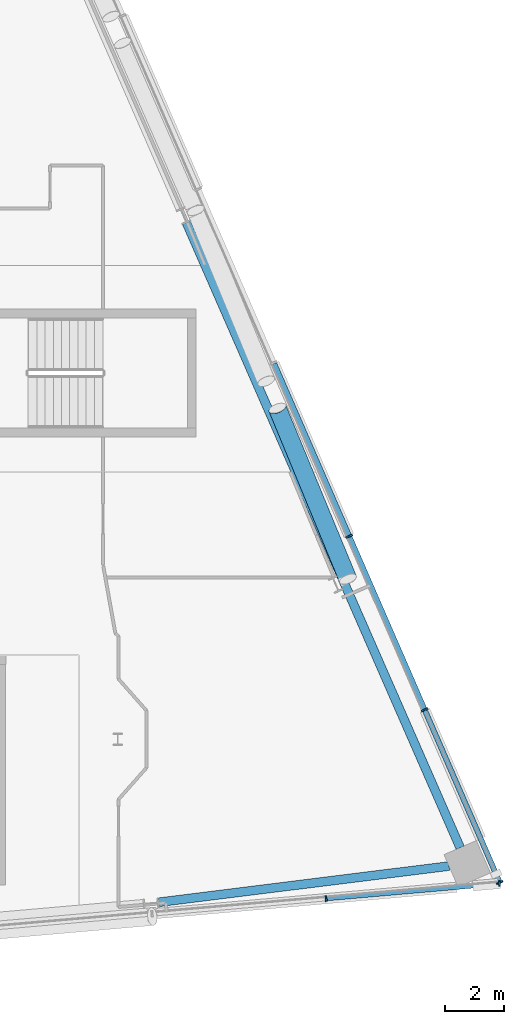
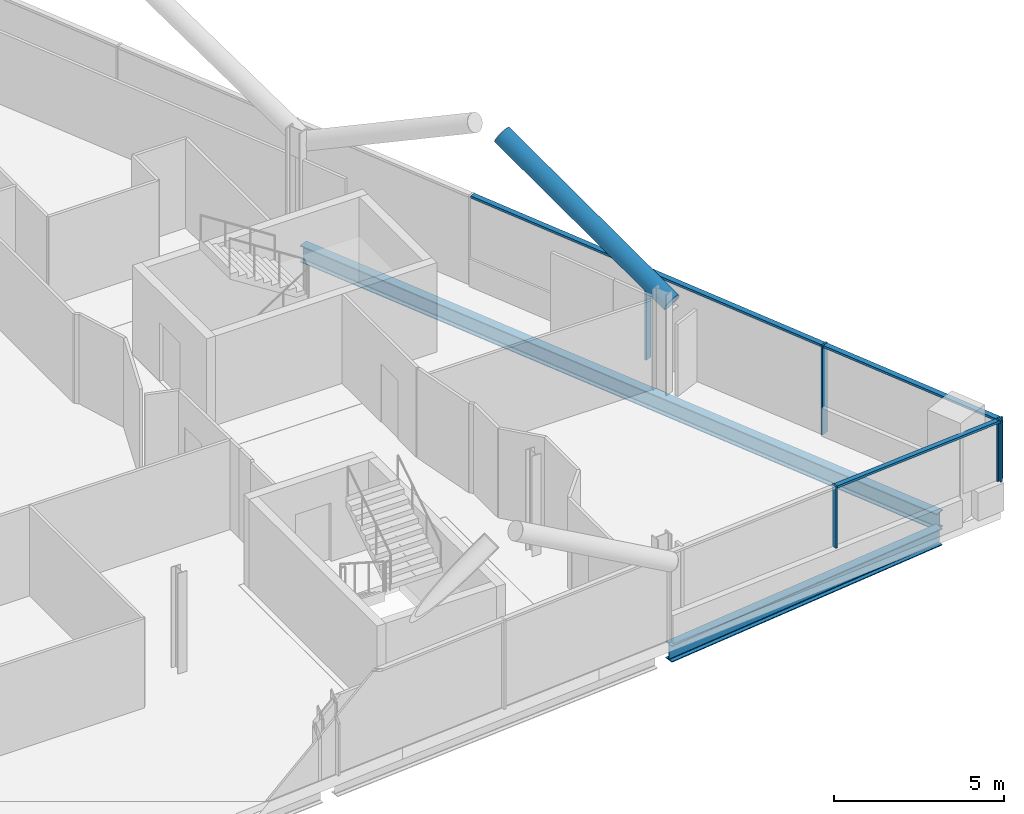
# One storey, part 12 of 28: 10 members, 2 beams, 2 elements without a shape of their own.
"""IFC4 building model written with IfcOpenShell, lengths in metres."""

from ifc_helpers import new_model, si_unit, direction, frame, origin, origin_2d, place, context, subcontext, project, spatial, rectangle, hollow_circle, i_section, extrude, material, material_profile, profile_set, type_object, element, aggregate, save


model = new_model("IFC4")

# Units and contexts
model_context = context("Model", 3, precision=1e-05, world=origin(), true_north=direction((0.0, 1.0)))
body_context = subcontext(model_context, "Body", "Model", "MODEL_VIEW")
ifc_project = project(units=[si_unit("LENGTHUNIT", "METRE"), si_unit("AREAUNIT", "SQUARE_METRE"), si_unit("VOLUMEUNIT", "CUBIC_METRE"), si_unit("PLANEANGLEUNIT", "RADIAN"), si_unit("MASSUNIT", "GRAM", prefix="KILO")], contexts=[model_context])

# Site, building, storey
site_placement = place(None, origin())
site = spatial("IfcSite", under=ifc_project, at=site_placement, CompositionType="ELEMENT")
building_placement = place(site_placement, origin())
building = spatial("IfcBuilding", under=site, at=building_placement, Name="Wharfspan Tower", CompositionType="ELEMENT")
storey_placement = place(building_placement, frame((0.0, 0.0, 250.300049)))
storey = spatial("IfcBuildingStorey", under=building, at=storey_placement, Name="L63", CompositionType="ELEMENT", Elevation=250.300049)

# Beams
ifc_material_1 = material(Name="Steel S355J2", Category="steel")
ifc_material_profile_1 = material_profile(ifc_material_1, i_section(OverallWidth=0.300049, OverallDepth=0.600098, WebThickness=0.015381, FlangeThickness=0.030029, FilletRadius=0.0271, at=origin_2d()))
ifc_profile_set_1 = profile_set([ifc_material_profile_1], Name="Steel S355J2")
beam_type = type_object("IfcBeamType", Name="Edge beam HEB 600", PredefinedType="SPANDREL", material=ifc_profile_set_1)
beam_1_placement = place(storey_placement, frame((73.391602, 5.955322, -0.699951), z_axis=(0.992301, 0.123848, 0.0), x_axis=(-0.123848, 0.992301, 0.0)))
element("IfcBeam", 1, at=beam_1_placement, inside=storey, type_object=beam_type, Name="Edge beam S2 L63 PS2.2 to MC4", PredefinedType="SPANDREL", context=body_context, shape_type="SweptSolid", body=[
    extrude(i_section(OverallWidth=0.300049, OverallDepth=0.600098, WebThickness=0.015381, FlangeThickness=0.030029, FilletRadius=0.0271, at=origin_2d()), origin(), (0.0, 0.0, 1.0), 9.951172),
])
beam_2_placement = place(storey_placement, frame((83.643799, 7.810547, -0.699951), z_axis=(-0.401141, 0.916016, 0.0), x_axis=(-0.916016, -0.401141, 0.0)))
element("IfcBeam", 2, at=beam_2_placement, inside=storey, type_object=beam_type, Name="Edge beam E L63 MC4 to PE.2", PredefinedType="SPANDREL", context=body_context, shape_type="SweptSolid", body=[
    extrude(i_section(OverallWidth=0.300049, OverallDepth=0.600098, WebThickness=0.015381, FlangeThickness=0.030029, FilletRadius=0.0271, at=origin_2d()), origin(), (0.0, 0.0, 1.0), 23.196045),
])

# Curtain wall, members
ifc_material_2 = material(Name="Aluminium 6063-T6", Category="aluminium")
curtain_wall_type_1 = type_object("IfcCurtainWallType", Name="CURTAIN WALL FACETED FRONT", PredefinedType="NOTDEFINED", material=ifc_material_2)
curtain_wall_1_placement = place(storey_placement, origin())
curtain_wall_1 = element("IfcCurtainWall", 3, at=curtain_wall_1_placement, inside=storey, type_object=curtain_wall_type_1, Name="Curtain wall S2", PredefinedType="NOTDEFINED")
ifc_material_profile_2 = material_profile(ifc_material_2, rectangle(XDim=0.199951, YDim=0.060059, at=origin_2d()))
ifc_profile_set_2 = profile_set([ifc_material_profile_2], Name="Aluminium 6063-T6")
member_type_1 = type_object("IfcMemberType", Name="MULLION FACETED FRONT 60x200", PredefinedType="MULLION", material=ifc_profile_set_2)
member_1_placement = place(storey_placement, frame((79.083252, 6.082275, 1.0), z_axis=(0.0, 0.0, 1.0), x_axis=(-0.087156, 0.996197, 0.0)))
member_1 = element("IfcMember", 4, at=member_1_placement, type_object=member_type_1, Name="Curtain wall S2 mullion 6", PredefinedType="MULLION", context=body_context, shape_type="SweptSolid", body=[
    extrude(rectangle(XDim=0.199951, YDim=0.060059, at=origin_2d()), origin(), (0.0, 0.0, 1.0), 2.199951),
])
member_2_placement = place(storey_placement, frame((84.970215, 6.597412, 1.0), z_axis=(0.0, 0.0, 1.0), x_axis=(-0.087156, 0.996197, 0.0)))
member_2 = element("IfcMember", 5, at=member_2_placement, type_object=member_type_1, Name="Curtain wall S2 mullion 7", PredefinedType="MULLION", context=body_context, shape_type="SweptSolid", body=[
    extrude(rectangle(XDim=0.199951, YDim=0.060059, at=origin_2d()), origin(), (0.0, 0.0, 1.0), 2.199951),
])

curtain_wall_type_2 = type_object("IfcCurtainWallType", Name="CURTAIN WALL PROW AND END", PredefinedType="NOTDEFINED", material=ifc_material_2)
curtain_wall_2_placement = place(storey_placement, origin())
curtain_wall_2 = element("IfcCurtainWall", 6, at=curtain_wall_2_placement, inside=storey, type_object=curtain_wall_type_2, Name="Curtain wall E", PredefinedType="NOTDEFINED")
ifc_material_profile_3 = material_profile(ifc_material_2, rectangle(XDim=0.23999, YDim=0.060059, at=origin_2d()))
ifc_profile_set_3 = profile_set([ifc_material_profile_3], Name="Aluminium 6063-T6")
member_type_2 = type_object("IfcMemberType", Name="MULLION PROW AND END 60x240", PredefinedType="MULLION", material=ifc_profile_set_3)
member_3_placement = place(storey_placement, frame((84.988037, 6.627441, 1.0), z_axis=(0.0, 0.0, 1.0), x_axis=(-0.917072, -0.398727, 0.0)))
member_3 = element("IfcMember", 7, at=member_3_placement, type_object=member_type_2, Name="Curtain wall E mullion 1", PredefinedType="MULLION", context=body_context, shape_type="SweptSolid", body=[
    extrude(rectangle(XDim=0.23999, YDim=0.060059, at=origin_2d()), origin(), (0.0, 0.0, 1.0), 2.199951),
])
member_4_placement = place(storey_placement, frame((82.434814, 12.5, 0.0), z_axis=(0.0, 0.0, 1.0), x_axis=(-0.917072, -0.398727, 0.0)))
member_4 = element("IfcMember", 8, at=member_4_placement, type_object=member_type_2, Name="Curtain wall E mullion 2", PredefinedType="MULLION", context=body_context, shape_type="SweptSolid", body=[
    extrude(rectangle(XDim=0.23999, YDim=0.060059, at=origin_2d()), origin(), (0.0, 0.0, 1.0), 3.199951),
])
member_5_placement = place(storey_placement, frame((79.869629, 18.399902, 0.0), z_axis=(0.0, 0.0, 1.0), x_axis=(-0.917072, -0.398727, 0.0)))
member_5 = element("IfcMember", 9, at=member_5_placement, type_object=member_type_2, Name="Curtain wall E mullion 3", PredefinedType="MULLION", context=body_context, shape_type="SweptSolid", body=[
    extrude(rectangle(XDim=0.23999, YDim=0.060059, at=origin_2d()), origin(), (0.0, 0.0, 1.0), 3.199951),
])

# Member
ifc_material_3 = material(Name="Steel S460NH", Category="steel")
ifc_material_profile_4 = material_profile(ifc_material_3, hollow_circle(Radius=0.304932, WallThickness=0.024902, at=origin_2d()))
ifc_profile_set_4 = profile_set([ifc_material_profile_4], Name="Steel S460NH")
member_type_3 = type_object("IfcMemberType", Name="Mega brace CHS 610x25", PredefinedType="BRACE", material=ifc_profile_set_4)
member_6_placement = place(storey_placement, frame((79.826904, 16.943115, 2.899902), z_axis=(-0.337042, 0.816355, 0.469007), x_axis=(-0.924324, -0.381616, -4e-06)))
element("IfcMember", 10, at=member_6_placement, inside=storey, type_object=member_type_3, Name="Mega brace E5 L64 part 1", PredefinedType="BRACE", context=body_context, shape_type="SweptSolid", body=[
    extrude(hollow_circle(Radius=0.304932, WallThickness=0.024902, at=origin_2d()), origin(), (0.0, 0.0, 1.0), 7.105957),
])

ifc_material_profile_5 = material_profile(ifc_material_2, rectangle(XDim=0.159912, YDim=0.080078, at=origin_2d()))
ifc_profile_set_5 = profile_set([ifc_material_profile_5], Name="Aluminium 6063-T6")
member_type_4 = type_object("IfcMemberType", Name="TRANSOM FACETED FRONT 80x160", PredefinedType="USERDEFINED", material=ifc_profile_set_5)
member_7_placement = place(storey_placement, frame((79.113281, 6.084961, 3.159912), z_axis=(0.996195, 0.087152, 0.0), x_axis=(-0.087152, 0.996195, 0.0)))
member_7 = element("IfcMember", 11, at=member_7_placement, type_object=member_type_4, Name="Curtain wall S2 transom 6", ObjectType="TRANSOM", PredefinedType="USERDEFINED", context=body_context, shape_type="SweptSolid", body=[
    extrude(rectangle(XDim=0.159912, YDim=0.080078, at=origin_2d()), origin(), (0.0, 0.0, 1.0), 5.849121),
])

aggregate(curtain_wall_1, [member_1, member_2, member_7])

ifc_material_profile_6 = material_profile(ifc_material_2, rectangle(XDim=0.179932, YDim=0.080078, at=origin_2d()))
ifc_profile_set_6 = profile_set([ifc_material_profile_6], Name="Aluminium 6063-T6")
member_type_5 = type_object("IfcMemberType", Name="TRANSOM PROW AND END 80x180", PredefinedType="USERDEFINED", material=ifc_profile_set_6)
member_8_placement = place(storey_placement, frame((84.976074, 6.655029, 3.159912), z_axis=(-0.398726, 0.91707, 0.0), x_axis=(-0.91707, -0.398726, 0.0)))
member_8 = element("IfcMember", 12, at=member_8_placement, type_object=member_type_5, Name="Curtain wall E transom 1", ObjectType="TRANSOM", PredefinedType="USERDEFINED", context=body_context, shape_type="SweptSolid", body=[
    extrude(rectangle(XDim=0.179932, YDim=0.080078, at=origin_2d()), origin(), (0.0, 0.0, 1.0), 6.343506),
])

member_9_placement = place(storey_placement, frame((82.422852, 12.527588, 3.159912), z_axis=(-0.398722, 0.917072, 0.0), x_axis=(-0.917072, -0.398722, 0.0)))
member_9 = element("IfcMember", 13, at=member_9_placement, type_object=member_type_5, Name="Curtain wall E transom 2", ObjectType="TRANSOM", PredefinedType="USERDEFINED", context=body_context, shape_type="SweptSolid", body=[
    extrude(rectangle(XDim=0.179932, YDim=0.080078, at=origin_2d()), origin(), (0.0, 0.0, 1.0), 6.373535),
])

member_10_placement = place(storey_placement, frame((79.857666, 18.42749, 3.159912), z_axis=(-0.398722, 0.917072, 0.0), x_axis=(-0.917072, -0.398722, 0.0)))
member_10 = element("IfcMember", 14, at=member_10_placement, type_object=member_type_5, Name="Curtain wall E transom 3", ObjectType="TRANSOM", PredefinedType="USERDEFINED", context=body_context, shape_type="SweptSolid", body=[
    extrude(rectangle(XDim=0.179932, YDim=0.080078, at=origin_2d()), origin(), (0.0, 0.0, 1.0), 6.373535),
])

aggregate(curtain_wall_2, [member_3, member_4, member_5, member_8, member_9, member_10])

save(model, "model.ifc")
